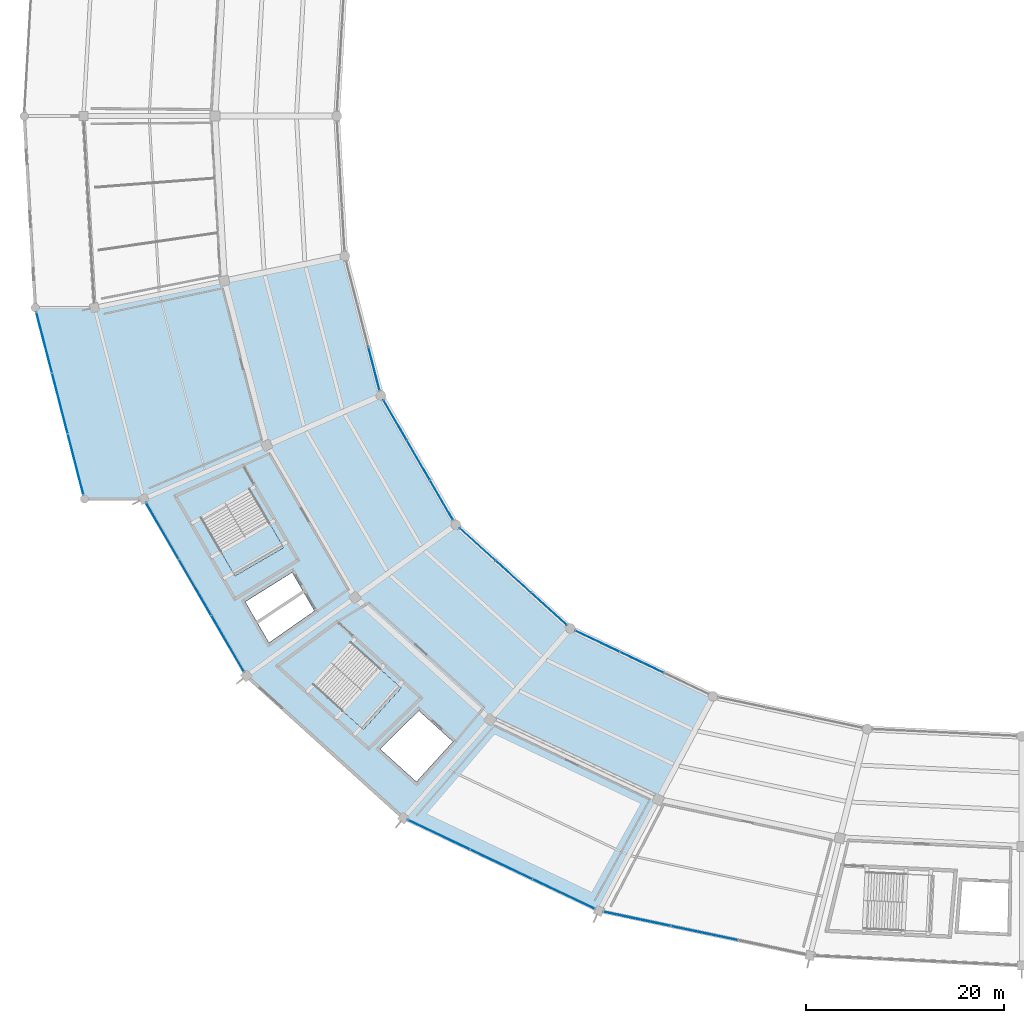
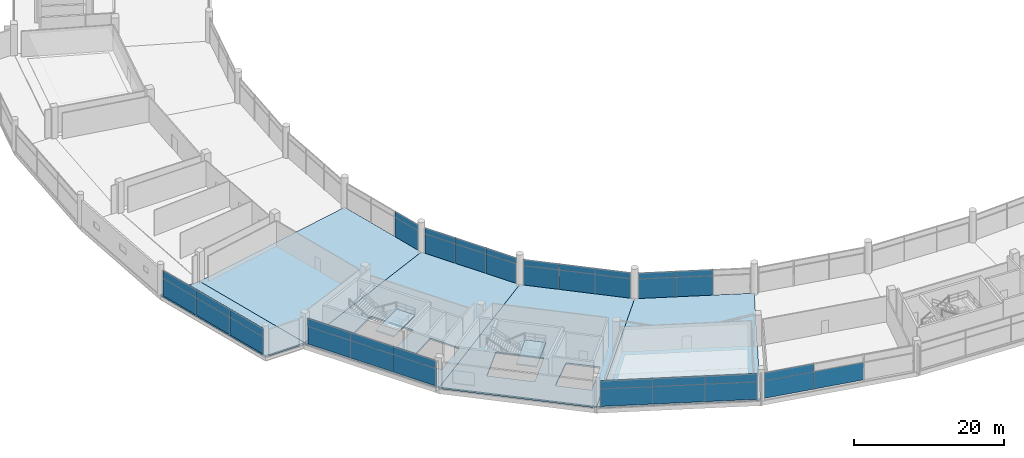
# One storey, part 137 of 184: 39 plates, 7 slabs, 10 elements without a shape of their own.
"""IFC4 building model written with IfcOpenShell, lengths in metres."""

import ifcopenshell
import ifcopenshell.guid

model = None  # the IFC model being written
_history = None  # IfcOwnerHistory: only IFC2X3 demands one
_inside = {}  # id of a spatial element -> (the spatial element, [elements in it])
_under = {}  # id of a project, library or spatial element -> (it, [spatial elements below it])
_declared = {}  # id of a project -> (the project, [libraries it declares])
_typed = {}  # id of a type object -> (the type object, [elements of that type])
_made_of = {}  # id of a material, layer set ... -> (it, [elements and type objects made of it])


def new_model(schema):
    """Start an empty IFC model of exactly this schema.

    Asked for "IFC4X3", IfcOpenShell would pick the latest addendum, in which some entities
    have other attributes; the version numbers below select the first issue.
    IFC2X3 requires an IfcOwnerHistory on every rooted entity: one is made here for all.
    """
    global model, _history
    if schema == "IFC4X3":
        model = ifcopenshell.file(schema_version=(4, 3, 0, 0))
    else:
        model = ifcopenshell.file(schema=schema)
    _inside.clear()
    _under.clear()
    _declared.clear()
    _typed.clear()
    _made_of.clear()
    _history = None
    if model.schema == "IFC2X3":
        org = make("IfcOrganization", Name="unknown")
        user = make(
            "IfcPersonAndOrganization",
            ThePerson=make("IfcPerson", FamilyName="unknown"),
            TheOrganization=org,
        )
        app = make(
            "IfcApplication",
            ApplicationDeveloper=org,
            Version="unknown",
            ApplicationFullName="unknown",
            ApplicationIdentifier="unknown",
        )
        _history = make(
            "IfcOwnerHistory",
            OwningUser=user,
            OwningApplication=app,
            ChangeAction="ADDED",
            CreationDate=0,
        )
    return model


def make(cls, **values):
    """One entity of the class cls with the attributes given. An attribute that is None is left unset."""
    return model.create_entity(
        cls, **{name: value for name, value in values.items() if value is not None}
    )


def rooted(cls, **values):
    """An entity with a GlobalId (a new one), such as an element, a storey or a relation."""
    return make(cls, GlobalId=ifcopenshell.guid.new(), OwnerHistory=_history, **values)


def si_unit(unit_type, name, prefix=None):
    """IfcSIUnit, for example si_unit("LENGTHUNIT", "METRE", prefix="MILLI")."""
    return make("IfcSIUnit", UnitType=unit_type, Prefix=prefix, Name=name)


def assignment(units):
    """IfcUnitAssignment: the units of a project."""
    return None if units is None else make("IfcUnitAssignment", Units=units)


def point(xyz):
    """IfcCartesianPoint."""
    return None if xyz is None else make("IfcCartesianPoint", Coordinates=xyz)


def direction(xyz):
    """IfcDirection."""
    return None if xyz is None else make("IfcDirection", DirectionRatios=xyz)


def frame(location, z_axis=None, x_axis=None):
    """IfcAxis2Placement3D, a coordinate frame: its origin and axes. An axis left out is left unset."""
    return make(
        "IfcAxis2Placement3D",
        Location=point(location),
        Axis=direction(z_axis),
        RefDirection=direction(x_axis),
    )


def frame_2d(location, x_axis=None):
    """IfcAxis2Placement2D, a coordinate frame in the plane: its origin and x axis."""
    return make(
        "IfcAxis2Placement2D", Location=point(location), RefDirection=direction(x_axis)
    )


def origin():
    """The frame at (0, 0, 0) with its axes left unset."""
    return frame((0.0, 0.0, 0.0))


def origin_2d():
    """The frame at (0, 0) in the plane with its x axis left unset."""
    return frame_2d((0.0, 0.0))


def place(relative_to, where):
    """IfcLocalPlacement: puts the frame where relative to a parent placement (None: the world)."""
    return make(
        "IfcLocalPlacement", PlacementRelTo=relative_to, RelativePlacement=where
    )


def context(
    kind, dimensions, precision=None, world=None, true_north=None, identifier=None
):
    """IfcGeometricRepresentationContext, for example the 3D "Model" context."""
    return make(
        "IfcGeometricRepresentationContext",
        ContextIdentifier=identifier,
        ContextType=kind,
        CoordinateSpaceDimension=dimensions,
        Precision=precision,
        WorldCoordinateSystem=world,
        TrueNorth=true_north,
    )


def subcontext(parent, identifier, kind, view, scale=None):
    """IfcGeometricRepresentationSubContext, for example "Body" below "Model"."""
    return make(
        "IfcGeometricRepresentationSubContext",
        ContextIdentifier=identifier,
        ContextType=kind,
        ParentContext=parent,
        TargetScale=scale,
        TargetView=view,
    )


def project(units=None, contexts=None):
    """IfcProject with its units and contexts."""
    return rooted(
        "IfcProject",
        Name="project",
        RepresentationContexts=contexts,
        UnitsInContext=assignment(units),
    )


def spatial(cls, under=None, at=None, **own):
    """A site, building, storey or space (cls), placed at a placement, below another one or the project."""
    s = rooted(cls, ObjectPlacement=at, **own)
    if under is not None:
        _under.setdefault(under.id(), (under, []))[1].append(s)
    return s


def polyline(points):
    """IfcPolyline through the points."""
    return make("IfcPolyline", Points=[point(p) for p in points])


def profile(cls, at=None, kind="AREA", **sizes):
    """A parametric profile (cls). Its sizes go by their IFC names, for example OverallWidth=200.0."""
    return make(cls, ProfileType=kind, Position=at, **sizes)


def rectangle(**sizes):
    """IfcRectangleProfileDef."""
    return profile("IfcRectangleProfileDef", **sizes)


def outline(outer, holes=None, kind="AREA"):
    """IfcArbitraryClosedProfileDef: a profile drawn as a closed curve; with holes, ...WithVoids."""
    if holes is None:
        return make("IfcArbitraryClosedProfileDef", ProfileType=kind, OuterCurve=outer)
    return make(
        "IfcArbitraryProfileDefWithVoids",
        ProfileType=kind,
        OuterCurve=outer,
        InnerCurves=holes,
    )


def extrude(swept, where, along, depth):
    """IfcExtrudedAreaSolid: the profile swept, set in the frame where, extruded along a direction by depth."""
    return make(
        "IfcExtrudedAreaSolid",
        SweptArea=swept,
        Position=where,
        ExtrudedDirection=direction(along),
        Depth=depth,
    )


def shape(context_of_items, identifier, shape_type, items):
    """IfcShapeRepresentation: the items that make up one representation, for example the "Body"."""
    return make(
        "IfcShapeRepresentation",
        ContextOfItems=context_of_items,
        RepresentationIdentifier=identifier,
        RepresentationType=shape_type,
        Items=items,
    )


def material(Name=None, Category=None):
    """IfcMaterial."""
    return make("IfcMaterial", Name=Name, Category=Category)


def layer(
    of_material, thickness, ventilated=None, Name=None, Category=None, Priority=None
):
    """IfcMaterialLayer: one layer of a wall or slab, of a material (None: an air gap)."""
    return make(
        "IfcMaterialLayer",
        Material=of_material,
        LayerThickness=thickness,
        IsVentilated=ventilated,
        Name=Name,
        Category=Category,
        Priority=Priority,
    )


def layer_set(layers, Name=None):
    """IfcMaterialLayerSet."""
    return make("IfcMaterialLayerSet", MaterialLayers=layers, LayerSetName=Name)


def made_of(thing, what):
    """Note that an element or type object is made of a material, layer set ...; save() writes the relation."""
    if what is not None:
        _made_of.setdefault(what.id(), (what, []))[1].append(thing)
    return thing


def type_object(cls, material=None, **own):
    """A type object (cls), such as IfcWallType, which elements share."""
    return made_of(rooted(cls, **own), material)


def element(
    cls,
    number,
    at=None,
    inside=None,
    cuts=None,
    type_object=None,
    material=None,
    context=None,
    identifier="Body",
    shape_type=None,
    held_by="IfcProductDefinitionShape",
    body=None,
    shapes=None,
    **own,
):
    """One element of the class cls, such as IfcWall. Its Tag is "e" and its number.

    at: its placement. inside: the storey or other place that contains it. cuts: it is an
    opening in that element (IfcRelVoidsElement). A single representation is given by context,
    identifier, shape_type and body (its items); several are given by shapes. held_by: the class
    of the entity that holds the representations. save() writes the other relations.
    """
    e = rooted(cls, Tag="e%d" % number, ObjectPlacement=at, **own)
    if body is not None:
        shapes = [shape(context, identifier, shape_type, body)]
    if shapes is not None:
        e.Representation = make(held_by, Representations=shapes)
    if inside is not None:
        _inside.setdefault(inside.id(), (inside, []))[1].append(e)
    if cuts is not None:
        rooted(
            "IfcRelVoidsElement", RelatingBuildingElement=cuts, RelatedOpeningElement=e
        )
    if type_object is not None:
        _typed.setdefault(type_object.id(), (type_object, []))[1].append(e)
    return made_of(e, material)


def aggregate(whole, parts):
    """IfcRelAggregates: a whole, such as a stair, and the parts it consists of."""
    return rooted("IfcRelAggregates", RelatingObject=whole, RelatedObjects=parts)


def save(model, path):
    """Write the relations noted so far, then the file.

    IfcRelAggregates (storeys below a building ...), IfcRelContainedInSpatialStructure (elements
    in a storey), IfcRelDefinesByType, IfcRelAssociatesMaterial and IfcRelDeclares: one each for
    every whole, place, type object, material and project.
    """
    for whole, parts in _under.values():
        aggregate(whole, parts)
    for where, things in _inside.values():
        rooted(
            "IfcRelContainedInSpatialStructure",
            RelatedElements=things,
            RelatingStructure=where,
        )
    for kind, things in _typed.values():
        rooted("IfcRelDefinesByType", RelatedObjects=things, RelatingType=kind)
    for what, things in _made_of.values():
        rooted("IfcRelAssociatesMaterial", RelatedObjects=things, RelatingMaterial=what)
    for by, libraries in _declared.values():
        rooted("IfcRelDeclares", RelatingContext=by, RelatedDefinitions=libraries)
    model.write(path)


model = new_model("IFC4")

# Units and contexts
model_context = context("Model", 3, precision=1e-05, world=origin(), true_north=direction((0.0, 1.0)))
body_context = subcontext(model_context, "Body", "Model", "MODEL_VIEW")
ifc_project = project(units=[si_unit("LENGTHUNIT", "METRE"), si_unit("AREAUNIT", "SQUARE_METRE"), si_unit("VOLUMEUNIT", "CUBIC_METRE"), si_unit("PLANEANGLEUNIT", "RADIAN"), si_unit("MASSUNIT", "GRAM", prefix="KILO")], contexts=[model_context])

# Site, building, storey
site_placement = place(None, origin())
site = spatial("IfcSite", under=ifc_project, at=site_placement, CompositionType="ELEMENT")
building_placement = place(site_placement, origin())
building = spatial("IfcBuilding", under=site, at=building_placement, Name="Kazemori Nagisa Stadium", CompositionType="ELEMENT")
storey_placement = place(building_placement, frame((0.0, 0.0, 10.5400390625)))
storey = spatial("IfcBuildingStorey", under=building, at=storey_placement, Name="L02", CompositionType="ELEMENT", Elevation=10.5400390625)

# Curtain wall, plate
ifc_material_1 = material(Name="Anodised aluminium 6063-T5", Category="aluminium")
ifc_layer_1 = layer(ifc_material_1, 0.2099609375, Name="Anodised aluminium 6063-T5", Category="aluminium")
ifc_layer_set_1 = layer_set([ifc_layer_1], Name="Anodised aluminium 6063-T5")
curtain_wall_type_1 = type_object("IfcCurtainWallType", Name="CW_L02B_68", PredefinedType="USERDEFINED", material=ifc_layer_set_1)
curtain_wall_1_placement = place(storey_placement, origin())
curtain_wall_1 = element("IfcCurtainWall", 1, at=curtain_wall_1_placement, inside=storey, type_object=curtain_wall_type_1, Name="Unitised curtain wall CW-L02B-68 L02", ObjectType="UNITISED CURTAIN WALL", PredefinedType="USERDEFINED")
ifc_material_2 = material(Name="Anodised aluminium spandrel sheet", Category="aluminium")
ifc_layer_2 = layer(ifc_material_2, 0.044921875, Name="Anodised aluminium spandrel sheet", Category="aluminium")
ifc_layer_set_2 = layer_set([ifc_layer_2], Name="Anodised aluminium spandrel sheet")
plate_type_1 = type_object("IfcPlateType", Name="CWPanel_SPN_L02B_68", PredefinedType="CURTAIN_PANEL", material=ifc_layer_set_2)
plate_1_placement = place(storey_placement, frame((57.4169921875, 76.41259765625, 3.1845703125), z_axis=(0.0, 0.0, 1.0), x_axis=(0.249964642418, -0.968254965152, 0.0)))
plate_1 = element("IfcPlate", 2, at=plate_1_placement, type_object=plate_type_1, Name="Curtain wall spandrel panel CW-L02B-68-S3", PredefinedType="CURTAIN_PANEL", context=body_context, shape_type="SweptSolid", body=[
    extrude(rectangle(XDim=4.482666015625, YDim=0.044921875, at=origin_2d()), origin(), (0.0, 0.0, 1.0), 1.005615234375),
])

# Curtain wall, plates
ifc_layer_3 = layer(ifc_material_1, 0.2099609375, Name="Anodised aluminium 6063-T5", Category="aluminium")
ifc_layer_set_3 = layer_set([ifc_layer_3], Name="Anodised aluminium 6063-T5")
curtain_wall_type_2 = type_object("IfcCurtainWallType", Name="CW_L02B_71", PredefinedType="USERDEFINED", material=ifc_layer_set_3)
curtain_wall_2_placement = place(storey_placement, origin())
curtain_wall_2 = element("IfcCurtainWall", 3, at=curtain_wall_2_placement, inside=storey, type_object=curtain_wall_type_2, Name="Unitised curtain wall CW-L02B-71 L02", ObjectType="UNITISED CURTAIN WALL", PredefinedType="USERDEFINED")
ifc_layer_4 = layer(ifc_material_2, 0.044921875, Name="Anodised aluminium spandrel sheet", Category="aluminium")
ifc_layer_set_4 = layer_set([ifc_layer_4], Name="Anodised aluminium spandrel sheet")
plate_type_2 = type_object("IfcPlateType", Name="CWPanel_SPN_L02B_71", PredefinedType="CURTAIN_PANEL", material=ifc_layer_set_4)
plate_2_placement = place(storey_placement, frame((59.556884765625, 71.224365234375, 3.1845703125), z_axis=(0.0, 0.0, 1.0), x_axis=(0.501611590054, -0.865092950337, 0.0)))
plate_2 = element("IfcPlate", 4, at=plate_2_placement, type_object=plate_type_2, Name="Curtain wall spandrel panel CW-L02B-71-S1", PredefinedType="CURTAIN_PANEL", context=body_context, shape_type="SweptSolid", body=[
    extrude(rectangle(XDim=4.659423828125, YDim=0.044921875, at=origin_2d()), origin(), (0.0, 0.0, 1.0), 1.005615234375),
])
plate_3_placement = place(storey_placement, frame((61.90625, 67.172607421875, 3.1845703125), z_axis=(0.0, 0.0, 1.0), x_axis=(0.501611590054, -0.865092950337, 0.0)))
plate_3 = element("IfcPlate", 5, at=plate_3_placement, type_object=plate_type_2, Name="Curtain wall spandrel panel CW-L02B-71-S2", PredefinedType="CURTAIN_PANEL", context=body_context, shape_type="SweptSolid", body=[
    extrude(rectangle(XDim=4.659423828125, YDim=0.044921875, at=origin_2d()), origin(), (0.0, 0.0, 1.0), 1.005615234375),
])
plate_4_placement = place(storey_placement, frame((64.25537109375, 63.12109375, 3.1845703125), z_axis=(0.0, 0.0, 1.0), x_axis=(0.501611590054, -0.865092950337, 0.0)))
plate_4 = element("IfcPlate", 6, at=plate_4_placement, type_object=plate_type_2, Name="Curtain wall spandrel panel CW-L02B-71-S3", PredefinedType="CURTAIN_PANEL", context=body_context, shape_type="SweptSolid", body=[
    extrude(rectangle(XDim=4.659423828125, YDim=0.044921875, at=origin_2d()), origin(), (0.0, 0.0, 1.0), 1.005615234375),
])

ifc_layer_5 = layer(ifc_material_1, 0.2099609375, Name="Anodised aluminium 6063-T5", Category="aluminium")
ifc_layer_set_5 = layer_set([ifc_layer_5], Name="Anodised aluminium 6063-T5")
curtain_wall_type_3 = type_object("IfcCurtainWallType", Name="CW_L02B_73", PredefinedType="USERDEFINED", material=ifc_layer_set_5)
curtain_wall_3_placement = place(storey_placement, origin())
curtain_wall_3 = element("IfcCurtainWall", 7, at=curtain_wall_3_placement, inside=storey, type_object=curtain_wall_type_3, Name="Unitised curtain wall CW-L02B-73 L02", ObjectType="UNITISED CURTAIN WALL", PredefinedType="USERDEFINED")
ifc_layer_6 = layer(ifc_material_2, 0.044921875, Name="Anodised aluminium spandrel sheet", Category="aluminium")
ifc_layer_set_6 = layer_set([ifc_layer_6], Name="Anodised aluminium spandrel sheet")
plate_type_3 = type_object("IfcPlateType", Name="CWPanel_SPN_L02B_73", PredefinedType="CURTAIN_PANEL", material=ifc_layer_set_6)
plate_5_placement = place(storey_placement, frame((67.89697265625, 58.642333984375, 3.1845703125), z_axis=(0.0, 0.0, 1.0), x_axis=(0.741350875443, -0.671117634607, 0.0)))
plate_5 = element("IfcPlate", 8, at=plate_5_placement, type_object=plate_type_3, Name="Curtain wall spandrel panel CW-L02B-73-S1", PredefinedType="CURTAIN_PANEL", context=body_context, shape_type="SweptSolid", body=[
    extrude(rectangle(XDim=4.83740234375, YDim=0.044921875, at=origin_2d()), origin(), (0.0, 0.0, 1.0), 1.005615234375),
])
plate_6_placement = place(storey_placement, frame((71.5009765625, 55.3798828125, 3.1845703125), z_axis=(0.0, 0.0, 1.0), x_axis=(0.741350875443, -0.671117634607, 0.0)))
plate_6 = element("IfcPlate", 9, at=plate_6_placement, type_object=plate_type_3, Name="Curtain wall spandrel panel CW-L02B-73-S2", PredefinedType="CURTAIN_PANEL", context=body_context, shape_type="SweptSolid", body=[
    extrude(rectangle(XDim=4.83740234375, YDim=0.044921875, at=origin_2d()), origin(), (0.0, 0.0, 1.0), 1.005615234375),
])
plate_7_placement = place(storey_placement, frame((75.10498046875, 52.1171875, 3.1845703125), z_axis=(0.0, 0.0, 1.0), x_axis=(0.741350875443, -0.671117634607, 0.0)))
plate_7 = element("IfcPlate", 10, at=plate_7_placement, type_object=plate_type_3, Name="Curtain wall spandrel panel CW-L02B-73-S3", PredefinedType="CURTAIN_PANEL", context=body_context, shape_type="SweptSolid", body=[
    extrude(rectangle(XDim=4.83740234375, YDim=0.044921875, at=origin_2d()), origin(), (0.0, 0.0, 1.0), 1.005615234375),
])

ifc_layer_7 = layer(ifc_material_1, 0.2099609375, Name="Anodised aluminium 6063-T5", Category="aluminium")
ifc_layer_set_7 = layer_set([ifc_layer_7], Name="Anodised aluminium 6063-T5")
curtain_wall_type_4 = type_object("IfcCurtainWallType", Name="CW_L02B_75", PredefinedType="USERDEFINED", material=ifc_layer_set_7)
curtain_wall_4_placement = place(storey_placement, origin())
curtain_wall_4 = element("IfcCurtainWall", 11, at=curtain_wall_4_placement, inside=storey, type_object=curtain_wall_type_4, Name="Unitised curtain wall CW-L02B-75 L02", ObjectType="UNITISED CURTAIN WALL", PredefinedType="USERDEFINED")
ifc_layer_8 = layer(ifc_material_2, 0.044921875, Name="Anodised aluminium spandrel sheet", Category="aluminium")
ifc_layer_set_8 = layer_set([ifc_layer_8], Name="Anodised aluminium spandrel sheet")
plate_type_4 = type_object("IfcPlateType", Name="CWPanel_SPN_L02B_75", PredefinedType="CURTAIN_PANEL", material=ifc_layer_set_8)
plate_8_placement = place(storey_placement, frame((80.03369140625, 48.82958984375, 3.1845703125), z_axis=(0.0, 0.0, 1.0), x_axis=(0.903215892654, -0.429186499388, 0.0)))
plate_8 = element("IfcPlate", 12, at=plate_8_placement, type_object=plate_type_4, Name="Curtain wall spandrel panel CW-L02B-75-S1", PredefinedType="CURTAIN_PANEL", context=body_context, shape_type="SweptSolid", body=[
    extrude(rectangle(XDim=4.95166015625, YDim=0.044921875, at=origin_2d()), origin(), (0.0, 0.0, 1.0), 1.005615234375),
])
plate_9_placement = place(storey_placement, frame((84.528076171875, 46.694091796875, 3.1845703125), z_axis=(0.0, 0.0, 1.0), x_axis=(0.903215892654, -0.429186499388, 0.0)))
plate_9 = element("IfcPlate", 13, at=plate_9_placement, type_object=plate_type_4, Name="Curtain wall spandrel panel CW-L02B-75-S2", PredefinedType="CURTAIN_PANEL", context=body_context, shape_type="SweptSolid", body=[
    extrude(rectangle(XDim=4.95166015625, YDim=0.044921875, at=origin_2d()), origin(), (0.0, 0.0, 1.0), 1.005615234375),
])

ifc_layer_9 = layer(ifc_material_1, 0.2099609375, Name="Anodised aluminium 6063-T5", Category="aluminium")
ifc_layer_set_9 = layer_set([ifc_layer_9], Name="Anodised aluminium 6063-T5")
curtain_wall_type_5 = type_object("IfcCurtainWallType", Name="CW_L02R3_105", PredefinedType="USERDEFINED", material=ifc_layer_set_9)
curtain_wall_5_placement = place(storey_placement, origin())
curtain_wall_5 = element("IfcCurtainWall", 14, at=curtain_wall_5_placement, inside=storey, type_object=curtain_wall_type_5, Name="Unitised curtain wall CW-L02R3-105 L02", ObjectType="UNITISED CURTAIN WALL", PredefinedType="USERDEFINED")
ifc_layer_10 = layer(ifc_material_2, 0.048095703125, Name="Anodised aluminium spandrel sheet", Category="aluminium")
ifc_layer_set_10 = layer_set([ifc_layer_10], Name="Anodised aluminium spandrel sheet")
plate_type_5 = type_object("IfcPlateType", Name="CWPanel_SPN_L02R3_105", PredefinedType="CURTAIN_PANEL", material=ifc_layer_set_10)
plate_10_placement = place(storey_placement, frame((63.98681640625, 29.237548828125, 2.84912109375), z_axis=(0.0, 0.0, 1.0), x_axis=(0.903215892654, -0.429186499388, 0.0)))
plate_10 = element("IfcPlate", 15, at=plate_10_placement, type_object=plate_type_5, Name="Curtain wall spandrel panel CW-L02R3-105-S1", PredefinedType="CURTAIN_PANEL", context=body_context, shape_type="SweptSolid", body=[
    extrude(rectangle(XDim=6.964111328125, YDim=0.048095703125, at=origin_2d()), origin(), (0.0, 0.0, 1.0), 1.3408203125),
])
plate_11_placement = place(storey_placement, frame((70.298583984375, 26.23828125, 2.84912109375), z_axis=(0.0, 0.0, 1.0), x_axis=(0.903215892654, -0.429186499388, 0.0)))
plate_11 = element("IfcPlate", 16, at=plate_11_placement, type_object=plate_type_5, Name="Curtain wall spandrel panel CW-L02R3-105-S2", PredefinedType="CURTAIN_PANEL", context=body_context, shape_type="SweptSolid", body=[
    extrude(rectangle(XDim=6.964111328125, YDim=0.048095703125, at=origin_2d()), origin(), (0.0, 0.0, 1.0), 1.3408203125),
])
plate_12_placement = place(storey_placement, frame((76.6103515625, 23.2392578125, 2.84912109375), z_axis=(0.0, 0.0, 1.0), x_axis=(0.903215892654, -0.429186499388, 0.0)))
plate_12 = element("IfcPlate", 17, at=plate_12_placement, type_object=plate_type_5, Name="Curtain wall spandrel panel CW-L02R3-105-S3", PredefinedType="CURTAIN_PANEL", context=body_context, shape_type="SweptSolid", body=[
    extrude(rectangle(XDim=6.964111328125, YDim=0.048095703125, at=origin_2d()), origin(), (0.0, 0.0, 1.0), 1.3408203125),
])

# Curtain wall, plate
curtain_wall_6_placement = place(storey_placement, origin())
curtain_wall_6 = element("IfcCurtainWall", 18, at=curtain_wall_6_placement, inside=storey, type_object=curtain_wall_type_5, Name="Unitised curtain wall CW-L02R3-105 L02", ObjectType="UNITISED CURTAIN WALL", PredefinedType="USERDEFINED")
plate_13_placement = place(storey_placement, frame((84.06787109375, 20.716552734375, 2.84912109375), z_axis=(0.0, 0.0, 1.0), x_axis=(0.978344955407, -0.206981033502, 0.0)))
plate_13 = element("IfcPlate", 19, at=plate_13_placement, type_object=plate_type_5, Name="Curtain wall spandrel panel CW-L02R3-105-S1", PredefinedType="CURTAIN_PANEL", context=body_context, shape_type="SweptSolid", body=[
    extrude(rectangle(XDim=6.942626953125, YDim=0.048095703125, at=origin_2d()), origin(), (0.0, 0.0, 1.0), 1.3408203125),
])

# Curtain wall, plates
ifc_layer_11 = layer(ifc_material_1, 0.2099609375, Name="Anodised aluminium 6063-T5", Category="aluminium")
ifc_layer_set_11 = layer_set([ifc_layer_11], Name="Anodised aluminium 6063-T5")
curtain_wall_type_6 = type_object("IfcCurtainWallType", Name="CW_L02R3_96", PredefinedType="USERDEFINED", material=ifc_layer_set_11)
curtain_wall_7_placement = place(storey_placement, origin())
curtain_wall_7 = element("IfcCurtainWall", 20, at=curtain_wall_7_placement, inside=storey, type_object=curtain_wall_type_6, Name="Unitised curtain wall CW-L02R3-96 L02", ObjectType="UNITISED CURTAIN WALL", PredefinedType="USERDEFINED")
ifc_layer_12 = layer(ifc_material_2, 0.048095703125, Name="Anodised aluminium spandrel sheet", Category="aluminium")
ifc_layer_set_12 = layer_set([ifc_layer_12], Name="Anodised aluminium spandrel sheet")
plate_type_6 = type_object("IfcPlateType", Name="CWPanel_SPN_L02R3_96", PredefinedType="CURTAIN_PANEL", material=ifc_layer_set_12)
plate_14_placement = place(storey_placement, frame((24.02587890625, 79.08984375, 2.84912109375), z_axis=(0.0, 0.0, 1.0), x_axis=(0.249964642418, -0.968254965152, 0.0)))
plate_14 = element("IfcPlate", 21, at=plate_14_placement, type_object=plate_type_6, Name="Curtain wall spandrel panel CW-L02R3-96-S1", PredefinedType="CURTAIN_PANEL", context=body_context, shape_type="SweptSolid", body=[
    extrude(rectangle(XDim=6.34130859375, YDim=0.048095703125, at=origin_2d()), origin(), (0.0, 0.0, 1.0), 1.3408203125),
])
plate_15_placement = place(storey_placement, frame((25.6171875, 72.92626953125, 2.84912109375), z_axis=(0.0, 0.0, 1.0), x_axis=(0.249964642418, -0.968254965152, 0.0)))
plate_15 = element("IfcPlate", 22, at=plate_15_placement, type_object=plate_type_6, Name="Curtain wall spandrel panel CW-L02R3-96-S2", PredefinedType="CURTAIN_PANEL", context=body_context, shape_type="SweptSolid", body=[
    extrude(rectangle(XDim=6.34130859375, YDim=0.048095703125, at=origin_2d()), origin(), (0.0, 0.0, 1.0), 1.3408203125),
])
plate_16_placement = place(storey_placement, frame((27.208251953125, 66.762939453125, 2.84912109375), z_axis=(0.0, 0.0, 1.0), x_axis=(0.249964642418, -0.968254965152, 0.0)))
plate_16 = element("IfcPlate", 23, at=plate_16_placement, type_object=plate_type_6, Name="Curtain wall spandrel panel CW-L02R3-96-S3", PredefinedType="CURTAIN_PANEL", context=body_context, shape_type="SweptSolid", body=[
    extrude(rectangle(XDim=6.34130859375, YDim=0.048095703125, at=origin_2d()), origin(), (0.0, 0.0, 1.0), 1.3408203125),
])

ifc_layer_13 = layer(ifc_material_1, 0.2099609375, Name="Anodised aluminium 6063-T5", Category="aluminium")
ifc_layer_set_13 = layer_set([ifc_layer_13], Name="Anodised aluminium 6063-T5")
curtain_wall_type_7 = type_object("IfcCurtainWallType", Name="CW_L02R3_99", PredefinedType="USERDEFINED", material=ifc_layer_set_13)
curtain_wall_8_placement = place(storey_placement, origin())
curtain_wall_8 = element("IfcCurtainWall", 24, at=curtain_wall_8_placement, inside=storey, type_object=curtain_wall_type_7, Name="Unitised curtain wall CW-L02R3-99 L02", ObjectType="UNITISED CURTAIN WALL", PredefinedType="USERDEFINED")
ifc_layer_14 = layer(ifc_material_2, 0.048095703125, Name="Anodised aluminium spandrel sheet", Category="aluminium")
ifc_layer_set_14 = layer_set([ifc_layer_14], Name="Anodised aluminium spandrel sheet")
plate_type_7 = type_object("IfcPlateType", Name="CWPanel_SPN_L02R3_99", PredefinedType="CURTAIN_PANEL", material=ifc_layer_set_14)
plate_17_placement = place(storey_placement, frame((36.005615234375, 59.990234375, 2.84912109375), z_axis=(0.0, 0.0, 1.0), x_axis=(0.501611590054, -0.865092950337, 0.0)))
plate_17 = element("IfcPlate", 25, at=plate_17_placement, type_object=plate_type_7, Name="Curtain wall spandrel panel CW-L02R3-99-S1", PredefinedType="CURTAIN_PANEL", context=body_context, shape_type="SweptSolid", body=[
    extrude(rectangle(XDim=6.563232421875, YDim=0.048095703125, at=origin_2d()), origin(), (0.0, 0.0, 1.0), 1.3408203125),
])
plate_18_placement = place(storey_placement, frame((39.309814453125, 54.29150390625, 2.84912109375), z_axis=(0.0, 0.0, 1.0), x_axis=(0.501611590054, -0.865092950337, 0.0)))
plate_18 = element("IfcPlate", 26, at=plate_18_placement, type_object=plate_type_7, Name="Curtain wall spandrel panel CW-L02R3-99-S2", PredefinedType="CURTAIN_PANEL", context=body_context, shape_type="SweptSolid", body=[
    extrude(rectangle(XDim=6.563232421875, YDim=0.048095703125, at=origin_2d()), origin(), (0.0, 0.0, 1.0), 1.3408203125),
])
plate_19_placement = place(storey_placement, frame((42.6142578125, 48.5927734375, 2.84912109375), z_axis=(0.0, 0.0, 1.0), x_axis=(0.501611590054, -0.865092950337, 0.0)))
plate_19 = element("IfcPlate", 27, at=plate_19_placement, type_object=plate_type_7, Name="Curtain wall spandrel panel CW-L02R3-99-S3", PredefinedType="CURTAIN_PANEL", context=body_context, shape_type="SweptSolid", body=[
    extrude(rectangle(XDim=6.563232421875, YDim=0.048095703125, at=origin_2d()), origin(), (0.0, 0.0, 1.0), 1.3408203125),
])

# Plate
ifc_material_3 = material(Name="Low-e laminated double glazing", Category="glass")
ifc_layer_15 = layer(ifc_material_3, 0.031982421875, Name="Low-e laminated double glazing", Category="glass")
ifc_layer_set_15 = layer_set([ifc_layer_15], Name="Low-e laminated double glazing")
plate_type_8 = type_object("IfcPlateType", Name="CWPanel_VIS_L02B_68", PredefinedType="CURTAIN_PANEL", material=ifc_layer_set_15)
plate_20_placement = place(storey_placement, frame((57.4169921875, 76.41259765625, 0.0), z_axis=(0.0, 0.0, 1.0), x_axis=(0.249964642418, -0.968254965152, 0.0)))
plate_20 = element("IfcPlate", 28, at=plate_20_placement, type_object=plate_type_8, Name="Curtain wall vision panel CW-L02B-68-V3", PredefinedType="CURTAIN_PANEL", context=body_context, shape_type="SweptSolid", body=[
    extrude(rectangle(XDim=4.482666015625, YDim=0.031982421875, at=origin_2d()), origin(), (0.0, 0.0, 1.0), 3.184326171875),
])

aggregate(curtain_wall_1, [plate_20, plate_1])

ifc_layer_16 = layer(ifc_material_3, 0.031982421875, Name="Low-e laminated double glazing", Category="glass")
ifc_layer_set_16 = layer_set([ifc_layer_16], Name="Low-e laminated double glazing")
plate_type_9 = type_object("IfcPlateType", Name="CWPanel_VIS_L02B_71", PredefinedType="CURTAIN_PANEL", material=ifc_layer_set_16)
plate_21_placement = place(storey_placement, frame((59.556884765625, 71.224365234375, 0.0), z_axis=(0.0, 0.0, 1.0), x_axis=(0.501611590054, -0.865092950337, 0.0)))
plate_21 = element("IfcPlate", 29, at=plate_21_placement, type_object=plate_type_9, Name="Curtain wall vision panel CW-L02B-71-V1", PredefinedType="CURTAIN_PANEL", context=body_context, shape_type="SweptSolid", body=[
    extrude(rectangle(XDim=4.659423828125, YDim=0.031982421875, at=origin_2d()), origin(), (0.0, 0.0, 1.0), 3.184326171875),
])

plate_22_placement = place(storey_placement, frame((61.90625, 67.172607421875, 0.0), z_axis=(0.0, 0.0, 1.0), x_axis=(0.501611590054, -0.865092950337, 0.0)))
plate_22 = element("IfcPlate", 30, at=plate_22_placement, type_object=plate_type_9, Name="Curtain wall vision panel CW-L02B-71-V2", PredefinedType="CURTAIN_PANEL", context=body_context, shape_type="SweptSolid", body=[
    extrude(rectangle(XDim=4.659423828125, YDim=0.031982421875, at=origin_2d()), origin(), (0.0, 0.0, 1.0), 3.184326171875),
])

plate_23_placement = place(storey_placement, frame((64.25537109375, 63.12109375, 0.0), z_axis=(0.0, 0.0, 1.0), x_axis=(0.501611590054, -0.865092950337, 0.0)))
plate_23 = element("IfcPlate", 31, at=plate_23_placement, type_object=plate_type_9, Name="Curtain wall vision panel CW-L02B-71-V3", PredefinedType="CURTAIN_PANEL", context=body_context, shape_type="SweptSolid", body=[
    extrude(rectangle(XDim=4.659423828125, YDim=0.031982421875, at=origin_2d()), origin(), (0.0, 0.0, 1.0), 3.184326171875),
])

aggregate(curtain_wall_2, [plate_21, plate_2, plate_22, plate_3, plate_23, plate_4])

ifc_layer_17 = layer(ifc_material_3, 0.031982421875, Name="Low-e laminated double glazing", Category="glass")
ifc_layer_set_17 = layer_set([ifc_layer_17], Name="Low-e laminated double glazing")
plate_type_10 = type_object("IfcPlateType", Name="CWPanel_VIS_L02B_73", PredefinedType="CURTAIN_PANEL", material=ifc_layer_set_17)
plate_24_placement = place(storey_placement, frame((67.89697265625, 58.642333984375, 0.0), z_axis=(0.0, 0.0, 1.0), x_axis=(0.741350875443, -0.671117634607, 0.0)))
plate_24 = element("IfcPlate", 32, at=plate_24_placement, type_object=plate_type_10, Name="Curtain wall vision panel CW-L02B-73-V1", PredefinedType="CURTAIN_PANEL", context=body_context, shape_type="SweptSolid", body=[
    extrude(rectangle(XDim=4.83740234375, YDim=0.031982421875, at=origin_2d()), origin(), (0.0, 0.0, 1.0), 3.184326171875),
])

plate_25_placement = place(storey_placement, frame((71.5009765625, 55.3798828125, 0.0), z_axis=(0.0, 0.0, 1.0), x_axis=(0.741350875443, -0.671117634607, 0.0)))
plate_25 = element("IfcPlate", 33, at=plate_25_placement, type_object=plate_type_10, Name="Curtain wall vision panel CW-L02B-73-V2", PredefinedType="CURTAIN_PANEL", context=body_context, shape_type="SweptSolid", body=[
    extrude(rectangle(XDim=4.83740234375, YDim=0.031982421875, at=origin_2d()), origin(), (0.0, 0.0, 1.0), 3.184326171875),
])

plate_26_placement = place(storey_placement, frame((75.10498046875, 52.1171875, 0.0), z_axis=(0.0, 0.0, 1.0), x_axis=(0.741350875443, -0.671117634607, 0.0)))
plate_26 = element("IfcPlate", 34, at=plate_26_placement, type_object=plate_type_10, Name="Curtain wall vision panel CW-L02B-73-V3", PredefinedType="CURTAIN_PANEL", context=body_context, shape_type="SweptSolid", body=[
    extrude(rectangle(XDim=4.83740234375, YDim=0.031982421875, at=origin_2d()), origin(), (0.0, 0.0, 1.0), 3.184326171875),
])

aggregate(curtain_wall_3, [plate_24, plate_5, plate_25, plate_6, plate_26, plate_7])

ifc_layer_18 = layer(ifc_material_3, 0.031982421875, Name="Low-e laminated double glazing", Category="glass")
ifc_layer_set_18 = layer_set([ifc_layer_18], Name="Low-e laminated double glazing")
plate_type_11 = type_object("IfcPlateType", Name="CWPanel_VIS_L02B_75", PredefinedType="CURTAIN_PANEL", material=ifc_layer_set_18)
plate_27_placement = place(storey_placement, frame((80.03369140625, 48.82958984375, 0.0), z_axis=(0.0, 0.0, 1.0), x_axis=(0.903215892654, -0.429186499388, 0.0)))
plate_27 = element("IfcPlate", 35, at=plate_27_placement, type_object=plate_type_11, Name="Curtain wall vision panel CW-L02B-75-V1", PredefinedType="CURTAIN_PANEL", context=body_context, shape_type="SweptSolid", body=[
    extrude(rectangle(XDim=4.95166015625, YDim=0.031982421875, at=origin_2d()), origin(), (0.0, 0.0, 1.0), 3.184326171875),
])

plate_28_placement = place(storey_placement, frame((84.528076171875, 46.694091796875, 0.0), z_axis=(0.0, 0.0, 1.0), x_axis=(0.903215892654, -0.429186499388, 0.0)))
plate_28 = element("IfcPlate", 36, at=plate_28_placement, type_object=plate_type_11, Name="Curtain wall vision panel CW-L02B-75-V2", PredefinedType="CURTAIN_PANEL", context=body_context, shape_type="SweptSolid", body=[
    extrude(rectangle(XDim=4.95166015625, YDim=0.031982421875, at=origin_2d()), origin(), (0.0, 0.0, 1.0), 3.184326171875),
])

aggregate(curtain_wall_4, [plate_27, plate_8, plate_28, plate_9])

ifc_layer_19 = layer(ifc_material_3, 0.030029296875, Name="Low-e laminated double glazing", Category="glass")
ifc_layer_set_19 = layer_set([ifc_layer_19], Name="Low-e laminated double glazing")
plate_type_12 = type_object("IfcPlateType", Name="CWPanel_VIS_L02R3_105", PredefinedType="CURTAIN_PANEL", material=ifc_layer_set_19)
plate_29_placement = place(storey_placement, frame((63.98681640625, 29.237548828125, 0.0), z_axis=(0.0, 0.0, 1.0), x_axis=(0.903215892654, -0.429186499388, 0.0)))
plate_29 = element("IfcPlate", 37, at=plate_29_placement, type_object=plate_type_12, Name="Curtain wall vision panel CW-L02R3-105-V1", PredefinedType="CURTAIN_PANEL", context=body_context, shape_type="SweptSolid", body=[
    extrude(rectangle(XDim=6.964111328125, YDim=0.030029296875, at=origin_2d()), origin(), (0.0, 0.0, 1.0), 2.84912109375),
])

plate_30_placement = place(storey_placement, frame((70.298583984375, 26.23828125, 0.0), z_axis=(0.0, 0.0, 1.0), x_axis=(0.903215892654, -0.429186499388, 0.0)))
plate_30 = element("IfcPlate", 38, at=plate_30_placement, type_object=plate_type_12, Name="Curtain wall vision panel CW-L02R3-105-V2", PredefinedType="CURTAIN_PANEL", context=body_context, shape_type="SweptSolid", body=[
    extrude(rectangle(XDim=6.964111328125, YDim=0.030029296875, at=origin_2d()), origin(), (0.0, 0.0, 1.0), 2.84912109375),
])

plate_31_placement = place(storey_placement, frame((76.6103515625, 23.2392578125, 0.0), z_axis=(0.0, 0.0, 1.0), x_axis=(0.903215892654, -0.429186499388, 0.0)))
plate_31 = element("IfcPlate", 39, at=plate_31_placement, type_object=plate_type_12, Name="Curtain wall vision panel CW-L02R3-105-V3", PredefinedType="CURTAIN_PANEL", context=body_context, shape_type="SweptSolid", body=[
    extrude(rectangle(XDim=6.964111328125, YDim=0.030029296875, at=origin_2d()), origin(), (0.0, 0.0, 1.0), 2.84912109375),
])

aggregate(curtain_wall_5, [plate_29, plate_10, plate_30, plate_11, plate_31, plate_12])

plate_32_placement = place(storey_placement, frame((84.06787109375, 20.716552734375, 0.0), z_axis=(0.0, 0.0, 1.0), x_axis=(0.978344955407, -0.206981033502, 0.0)))
plate_32 = element("IfcPlate", 40, at=plate_32_placement, type_object=plate_type_12, Name="Curtain wall vision panel CW-L02R3-105-V1", PredefinedType="CURTAIN_PANEL", context=body_context, shape_type="SweptSolid", body=[
    extrude(rectangle(XDim=6.942626953125, YDim=0.030029296875, at=origin_2d()), origin(), (0.0, 0.0, 1.0), 2.84912109375),
])

plate_33_placement = place(storey_placement, frame((90.8837890625, 19.2744140625, 0.0), z_axis=(0.0, 0.0, 1.0), x_axis=(0.978344955407, -0.206981033502, 0.0)))
plate_33 = element("IfcPlate", 41, at=plate_33_placement, type_object=plate_type_12, Name="Curtain wall vision panel CW-L02R3-105-V2", PredefinedType="CURTAIN_PANEL", context=body_context, shape_type="SweptSolid", body=[
    extrude(rectangle(XDim=6.942626953125, YDim=0.030029296875, at=origin_2d()), origin(), (0.0, 0.0, 1.0), 2.84912109375),
])

aggregate(curtain_wall_6, [plate_32, plate_13, plate_33])

ifc_layer_20 = layer(ifc_material_3, 0.030029296875, Name="Low-e laminated double glazing", Category="glass")
ifc_layer_set_20 = layer_set([ifc_layer_20], Name="Low-e laminated double glazing")
plate_type_13 = type_object("IfcPlateType", Name="CWPanel_VIS_L02R3_96", PredefinedType="CURTAIN_PANEL", material=ifc_layer_set_20)
plate_34_placement = place(storey_placement, frame((24.02587890625, 79.08984375, 0.0), z_axis=(0.0, 0.0, 1.0), x_axis=(0.249964642418, -0.968254965152, 0.0)))
plate_34 = element("IfcPlate", 42, at=plate_34_placement, type_object=plate_type_13, Name="Curtain wall vision panel CW-L02R3-96-V1", PredefinedType="CURTAIN_PANEL", context=body_context, shape_type="SweptSolid", body=[
    extrude(rectangle(XDim=6.34130859375, YDim=0.030029296875, at=origin_2d()), origin(), (0.0, 0.0, 1.0), 2.84912109375),
])

plate_35_placement = place(storey_placement, frame((25.6171875, 72.92626953125, 0.0), z_axis=(0.0, 0.0, 1.0), x_axis=(0.249964642418, -0.968254965152, 0.0)))
plate_35 = element("IfcPlate", 43, at=plate_35_placement, type_object=plate_type_13, Name="Curtain wall vision panel CW-L02R3-96-V2", PredefinedType="CURTAIN_PANEL", context=body_context, shape_type="SweptSolid", body=[
    extrude(rectangle(XDim=6.34130859375, YDim=0.030029296875, at=origin_2d()), origin(), (0.0, 0.0, 1.0), 2.84912109375),
])

plate_36_placement = place(storey_placement, frame((27.208251953125, 66.762939453125, 0.0), z_axis=(0.0, 0.0, 1.0), x_axis=(0.249964642418, -0.968254965152, 0.0)))
plate_36 = element("IfcPlate", 44, at=plate_36_placement, type_object=plate_type_13, Name="Curtain wall vision panel CW-L02R3-96-V3", PredefinedType="CURTAIN_PANEL", context=body_context, shape_type="SweptSolid", body=[
    extrude(rectangle(XDim=6.34130859375, YDim=0.030029296875, at=origin_2d()), origin(), (0.0, 0.0, 1.0), 2.84912109375),
])

aggregate(curtain_wall_7, [plate_34, plate_14, plate_35, plate_15, plate_36, plate_16])

ifc_layer_21 = layer(ifc_material_3, 0.030029296875, Name="Low-e laminated double glazing", Category="glass")
ifc_layer_set_21 = layer_set([ifc_layer_21], Name="Low-e laminated double glazing")
plate_type_14 = type_object("IfcPlateType", Name="CWPanel_VIS_L02R3_99", PredefinedType="CURTAIN_PANEL", material=ifc_layer_set_21)
plate_37_placement = place(storey_placement, frame((36.005615234375, 59.990234375, 0.0), z_axis=(0.0, 0.0, 1.0), x_axis=(0.501611590054, -0.865092950337, 0.0)))
plate_37 = element("IfcPlate", 45, at=plate_37_placement, type_object=plate_type_14, Name="Curtain wall vision panel CW-L02R3-99-V1", PredefinedType="CURTAIN_PANEL", context=body_context, shape_type="SweptSolid", body=[
    extrude(rectangle(XDim=6.563232421875, YDim=0.030029296875, at=origin_2d()), origin(), (0.0, 0.0, 1.0), 2.84912109375),
])

plate_38_placement = place(storey_placement, frame((39.309814453125, 54.29150390625, 0.0), z_axis=(0.0, 0.0, 1.0), x_axis=(0.501611590054, -0.865092950337, 0.0)))
plate_38 = element("IfcPlate", 46, at=plate_38_placement, type_object=plate_type_14, Name="Curtain wall vision panel CW-L02R3-99-V2", PredefinedType="CURTAIN_PANEL", context=body_context, shape_type="SweptSolid", body=[
    extrude(rectangle(XDim=6.563232421875, YDim=0.030029296875, at=origin_2d()), origin(), (0.0, 0.0, 1.0), 2.84912109375),
])

plate_39_placement = place(storey_placement, frame((42.6142578125, 48.5927734375, 0.0), z_axis=(0.0, 0.0, 1.0), x_axis=(0.501611590054, -0.865092950337, 0.0)))
plate_39 = element("IfcPlate", 47, at=plate_39_placement, type_object=plate_type_14, Name="Curtain wall vision panel CW-L02R3-99-V3", PredefinedType="CURTAIN_PANEL", context=body_context, shape_type="SweptSolid", body=[
    extrude(rectangle(XDim=6.563232421875, YDim=0.030029296875, at=origin_2d()), origin(), (0.0, 0.0, 1.0), 2.84912109375),
])

aggregate(curtain_wall_8, [plate_37, plate_17, plate_38, plate_18, plate_39, plate_19])

# Slabs
ifc_material_4 = material(Name="Concrete C36/45 (Fc36)", Category="concrete")
ifc_layer_22 = layer(ifc_material_4, 0.260009765625, Name="Concrete C36/45 (Fc36)", Category="concrete")
ifc_layer_set_22 = layer_set([ifc_layer_22], Name="Concrete C36/45 (Fc36)")
slab_type_1 = type_object("IfcSlabType", Name="Slab_SL-CONC-260", PredefinedType="FLOOR", material=ifc_layer_set_22)
slab_1_placement = place(storey_placement, frame((0.0, 0.0, -0.260009765625)))
element("IfcSlab", 48, at=slab_1_placement, inside=storey, type_object=slab_type_1, Name="Concourse floor slab L02 bay 16", PredefinedType="FLOOR", context=body_context, shape_type="SweptSolid", body=[
    extrude(outline(polyline([(54.467041015625, 87.839599609375), (58.114013671875, 73.712890625), (34.114990234375, 63.25048828125), (29.119140625, 82.602294921875), (54.467041015625, 87.839599609375)])), origin(), (0.0, 0.0, 1.0), 0.260009765625),
])
slab_2_placement = place(storey_placement, frame((0.0, 0.0, -0.260009765625)))
element("IfcSlab", 49, at=slab_2_placement, inside=storey, type_object=slab_type_1, Name="Concourse floor slab L02 bay 17", PredefinedType="FLOOR", context=body_context, shape_type="SweptSolid", body=[
    extrude(outline(polyline([(58.114013671875, 73.712890625), (65.698486328125, 60.632568359375), (44.504638671875, 45.332275390625), (34.114990234375, 63.25048828125), (58.114013671875, 73.712890625)]), holes=[polyline([(44.858642578125, 64.196044921875), (48.131591796875, 58.55126953125), (43.20068359375, 55.692138671875), (39.927490234375, 61.336669921875), (44.858642578125, 64.196044921875)]), polyline([(49.128662109375, 55.793701171875), (51.3828125, 51.90625), (46.787841796875, 48.6923828125), (44.38916015625, 52.829345703125), (49.128662109375, 55.793701171875)])]), origin(), (0.0, 0.0, 1.0), 0.260009765625),
])
slab_3_placement = place(storey_placement, frame((0.0, 0.0, -0.260009765625)))
element("IfcSlab", 50, at=slab_3_placement, inside=storey, type_object=slab_type_1, Name="Concourse floor slab L02 bay 18", PredefinedType="FLOOR", context=body_context, shape_type="SweptSolid", body=[
    extrude(outline(polyline([(65.698486328125, 60.632568359375), (77.303466796875, 50.126953125), (60.402099609375, 30.94091796875), (44.504638671875, 45.332275390625), (65.698486328125, 60.632568359375)]), holes=[polyline([(55.12353515625, 48.665771484375), (59.9609375, 44.28662109375), (56.135498046875, 40.06103515625), (51.29833984375, 44.43994140625), (55.12353515625, 48.665771484375)]), polyline([(61.956298828125, 41.795654296875), (65.405517578125, 38.67333984375), (61.710205078125, 34.6103515625), (58.039794921875, 37.93310546875), (61.956298828125, 41.795654296875)])]), origin(), (0.0, 0.0, 1.0), 0.260009765625),
])
slab_4_placement = place(storey_placement, frame((0.0, 0.0, -0.260009765625)))
element("IfcSlab", 51, at=slab_4_placement, inside=storey, type_object=slab_type_1, Name="Concourse floor slab L02 bay 19", PredefinedType="FLOOR", context=body_context, shape_type="SweptSolid", body=[
    extrude(outline(polyline([(77.303466796875, 50.126953125), (91.75244140625, 43.260986328125), (80.1953125, 21.53564453125), (60.402099609375, 30.94091796875), (77.303466796875, 50.126953125)])), origin(), (0.0, 0.0, 1.0), 0.260009765625),
])
slab_5_placement = place(storey_placement, frame((0.0, 0.0, -0.260009765625)))
element("IfcSlab", 52, at=slab_5_placement, inside=storey, type_object=slab_type_1, Name="West grandstand floor slab L02 B16", PredefinedType="FLOOR", context=body_context, shape_type="SweptSolid", body=[
    extrude(outline(polyline([(29.119140625, 82.602294921875), (34.114990234375, 63.25048828125), (28.114990234375, 63.25048828125), (23.119140625, 82.602294921875), (29.119140625, 82.602294921875)])), origin(), (0.0, 0.0, 1.0), 0.260009765625),
])

# Stair, slab
stair_type = type_object("IfcStairType", Name="Stair_CORE_30", PredefinedType="TWO_STRAIGHT_RUN_STAIR", material=ifc_material_4)
stair_1_placement = place(storey_placement, origin())
stair_1 = element("IfcStair", 53, at=stair_1_placement, inside=storey, type_object=stair_type, Name="Exit stair ST09 L02", PredefinedType="TWO_STRAIGHT_RUN_STAIR")
ifc_layer_23 = layer(ifc_material_4, 0.199951171875, Name="Concrete C36/45 (Fc36)", Category="concrete")
ifc_layer_set_23 = layer_set([ifc_layer_23], Name="Concrete C36/45 (Fc36)")
slab_type_2 = type_object("IfcSlabType", Name="Slab_SL-LND-200", PredefinedType="LANDING", material=ifc_layer_set_23)
slab_6_placement = place(storey_placement, frame((0.0, 0.0, 2.349853515625)))
slab_6 = element("IfcSlab", 54, at=slab_6_placement, type_object=slab_type_2, Name="Exit stair ST09 L02 mid-landing", PredefinedType="LANDING", context=body_context, shape_type="SweptSolid", body=[
    extrude(outline(polyline([(46.844970703125, 60.770263671875), (48.274658203125, 58.3046875), (43.343505859375, 55.445556640625), (41.913818359375, 57.9111328125), (46.844970703125, 60.770263671875)])), origin(), (0.0, 0.0, 1.0), 0.2001953125),
])
aggregate(stair_1, [slab_6])

stair_2_placement = place(storey_placement, origin())
stair_2 = element("IfcStair", 55, at=stair_2_placement, inside=storey, type_object=stair_type, Name="Exit stair ST03 L02", PredefinedType="TWO_STRAIGHT_RUN_STAIR")
slab_7_placement = place(storey_placement, frame((0.0, 0.0, 2.349853515625)))
slab_7 = element("IfcSlab", 56, at=slab_7_placement, type_object=slab_type_2, Name="Exit stair ST03 L02 mid-landing", PredefinedType="LANDING", context=body_context, shape_type="SweptSolid", body=[
    extrude(outline(polyline([(58.059326171875, 46.008056640625), (60.172119140625, 44.095458984375), (56.346923828125, 39.86962890625), (54.23388671875, 41.782470703125), (58.059326171875, 46.008056640625)])), origin(), (0.0, 0.0, 1.0), 0.2001953125),
])
aggregate(stair_2, [slab_7])

save(model, "model.ifc")
